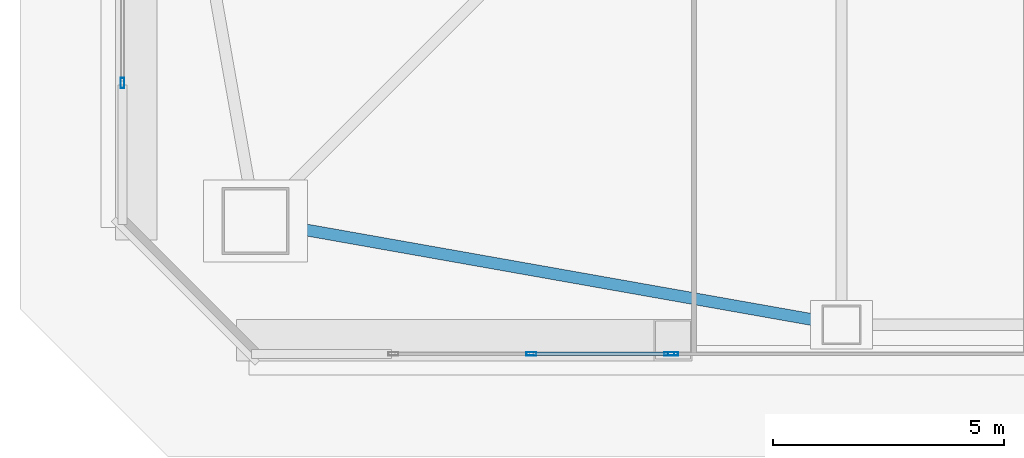
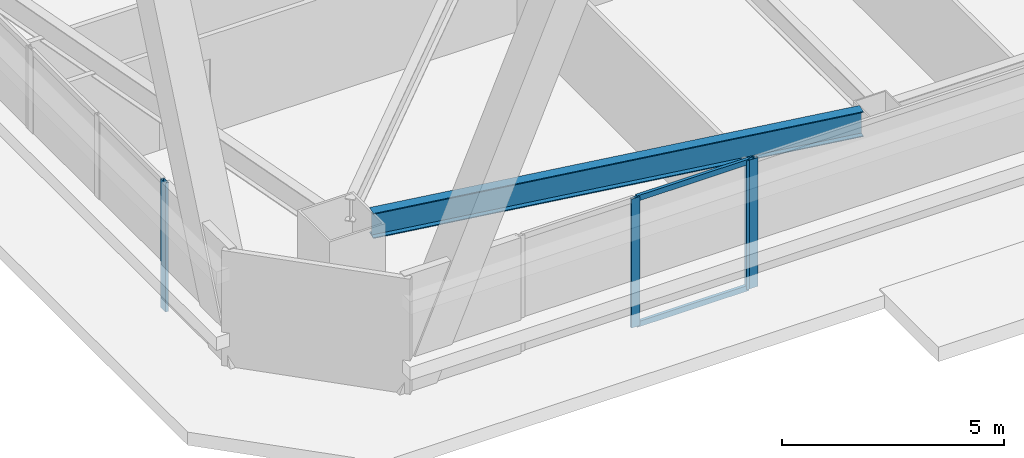
# One storey, part 5 of 67: 6 members, 1 beam, 3 elements without a shape of their own.
"""IFC4 building model written with IfcOpenShell, lengths in metres."""

import ifcopenshell
import ifcopenshell.guid

model = None  # the IFC model being written
_history = None  # IfcOwnerHistory: only IFC2X3 demands one
_inside = {}  # id of a spatial element -> (the spatial element, [elements in it])
_under = {}  # id of a project, library or spatial element -> (it, [spatial elements below it])
_declared = {}  # id of a project -> (the project, [libraries it declares])
_typed = {}  # id of a type object -> (the type object, [elements of that type])
_made_of = {}  # id of a material, layer set ... -> (it, [elements and type objects made of it])


def new_model(schema):
    """Start an empty IFC model of exactly this schema.

    Asked for "IFC4X3", IfcOpenShell would pick the latest addendum, in which some entities
    have other attributes; the version numbers below select the first issue.
    IFC2X3 requires an IfcOwnerHistory on every rooted entity: one is made here for all.
    """
    global model, _history
    if schema == "IFC4X3":
        model = ifcopenshell.file(schema_version=(4, 3, 0, 0))
    else:
        model = ifcopenshell.file(schema=schema)
    _inside.clear()
    _under.clear()
    _declared.clear()
    _typed.clear()
    _made_of.clear()
    _history = None
    if model.schema == "IFC2X3":
        org = make("IfcOrganization", Name="unknown")
        user = make(
            "IfcPersonAndOrganization",
            ThePerson=make("IfcPerson", FamilyName="unknown"),
            TheOrganization=org,
        )
        app = make(
            "IfcApplication",
            ApplicationDeveloper=org,
            Version="unknown",
            ApplicationFullName="unknown",
            ApplicationIdentifier="unknown",
        )
        _history = make(
            "IfcOwnerHistory",
            OwningUser=user,
            OwningApplication=app,
            ChangeAction="ADDED",
            CreationDate=0,
        )
    return model


def make(cls, **values):
    """One entity of the class cls with the attributes given. An attribute that is None is left unset."""
    return model.create_entity(
        cls, **{name: value for name, value in values.items() if value is not None}
    )


def rooted(cls, **values):
    """An entity with a GlobalId (a new one), such as an element, a storey or a relation."""
    return make(cls, GlobalId=ifcopenshell.guid.new(), OwnerHistory=_history, **values)


def si_unit(unit_type, name, prefix=None):
    """IfcSIUnit, for example si_unit("LENGTHUNIT", "METRE", prefix="MILLI")."""
    return make("IfcSIUnit", UnitType=unit_type, Prefix=prefix, Name=name)


def assignment(units):
    """IfcUnitAssignment: the units of a project."""
    return None if units is None else make("IfcUnitAssignment", Units=units)


def point(xyz):
    """IfcCartesianPoint."""
    return None if xyz is None else make("IfcCartesianPoint", Coordinates=xyz)


def direction(xyz):
    """IfcDirection."""
    return None if xyz is None else make("IfcDirection", DirectionRatios=xyz)


def frame(location, z_axis=None, x_axis=None):
    """IfcAxis2Placement3D, a coordinate frame: its origin and axes. An axis left out is left unset."""
    return make(
        "IfcAxis2Placement3D",
        Location=point(location),
        Axis=direction(z_axis),
        RefDirection=direction(x_axis),
    )


def frame_2d(location, x_axis=None):
    """IfcAxis2Placement2D, a coordinate frame in the plane: its origin and x axis."""
    return make(
        "IfcAxis2Placement2D", Location=point(location), RefDirection=direction(x_axis)
    )


def origin():
    """The frame at (0, 0, 0) with its axes left unset."""
    return frame((0.0, 0.0, 0.0))


def origin_2d():
    """The frame at (0, 0) in the plane with its x axis left unset."""
    return frame_2d((0.0, 0.0))


def place(relative_to, where):
    """IfcLocalPlacement: puts the frame where relative to a parent placement (None: the world)."""
    return make(
        "IfcLocalPlacement", PlacementRelTo=relative_to, RelativePlacement=where
    )


def context(
    kind, dimensions, precision=None, world=None, true_north=None, identifier=None
):
    """IfcGeometricRepresentationContext, for example the 3D "Model" context."""
    return make(
        "IfcGeometricRepresentationContext",
        ContextIdentifier=identifier,
        ContextType=kind,
        CoordinateSpaceDimension=dimensions,
        Precision=precision,
        WorldCoordinateSystem=world,
        TrueNorth=true_north,
    )


def subcontext(parent, identifier, kind, view, scale=None):
    """IfcGeometricRepresentationSubContext, for example "Body" below "Model"."""
    return make(
        "IfcGeometricRepresentationSubContext",
        ContextIdentifier=identifier,
        ContextType=kind,
        ParentContext=parent,
        TargetScale=scale,
        TargetView=view,
    )


def project(units=None, contexts=None):
    """IfcProject with its units and contexts."""
    return rooted(
        "IfcProject",
        Name="project",
        RepresentationContexts=contexts,
        UnitsInContext=assignment(units),
    )


def spatial(cls, under=None, at=None, **own):
    """A site, building, storey or space (cls), placed at a placement, below another one or the project."""
    s = rooted(cls, ObjectPlacement=at, **own)
    if under is not None:
        _under.setdefault(under.id(), (under, []))[1].append(s)
    return s


def profile(cls, at=None, kind="AREA", **sizes):
    """A parametric profile (cls). Its sizes go by their IFC names, for example OverallWidth=200.0."""
    return make(cls, ProfileType=kind, Position=at, **sizes)


def hollow_rectangle(**sizes):
    """IfcRectangleHollowProfileDef."""
    return profile("IfcRectangleHollowProfileDef", **sizes)


def i_section(**sizes):
    """IfcIShapeProfileDef."""
    return profile("IfcIShapeProfileDef", **sizes)


def extrude(swept, where, along, depth):
    """IfcExtrudedAreaSolid: the profile swept, set in the frame where, extruded along a direction by depth."""
    return make(
        "IfcExtrudedAreaSolid",
        SweptArea=swept,
        Position=where,
        ExtrudedDirection=direction(along),
        Depth=depth,
    )


def shape(context_of_items, identifier, shape_type, items):
    """IfcShapeRepresentation: the items that make up one representation, for example the "Body"."""
    return make(
        "IfcShapeRepresentation",
        ContextOfItems=context_of_items,
        RepresentationIdentifier=identifier,
        RepresentationType=shape_type,
        Items=items,
    )


def material(Name=None, Category=None):
    """IfcMaterial."""
    return make("IfcMaterial", Name=Name, Category=Category)


def material_profile(
    of_material, cross_section, Name=None, Category=None, Priority=None
):
    """IfcMaterialProfile: a cross section and its material."""
    return make(
        "IfcMaterialProfile",
        Name=Name,
        Material=of_material,
        Profile=cross_section,
        Priority=Priority,
        Category=Category,
    )


def profile_set(profiles, Name=None, composite=None):
    """IfcMaterialProfileSet."""
    return make(
        "IfcMaterialProfileSet",
        Name=Name,
        MaterialProfiles=profiles,
        CompositeProfile=composite,
    )


def made_of(thing, what):
    """Note that an element or type object is made of a material, layer set ...; save() writes the relation."""
    if what is not None:
        _made_of.setdefault(what.id(), (what, []))[1].append(thing)
    return thing


def type_object(cls, material=None, **own):
    """A type object (cls), such as IfcWallType, which elements share."""
    return made_of(rooted(cls, **own), material)


def element(
    cls,
    number,
    at=None,
    inside=None,
    cuts=None,
    type_object=None,
    material=None,
    context=None,
    identifier="Body",
    shape_type=None,
    held_by="IfcProductDefinitionShape",
    body=None,
    shapes=None,
    **own,
):
    """One element of the class cls, such as IfcWall. Its Tag is "e" and its number.

    at: its placement. inside: the storey or other place that contains it. cuts: it is an
    opening in that element (IfcRelVoidsElement). A single representation is given by context,
    identifier, shape_type and body (its items); several are given by shapes. held_by: the class
    of the entity that holds the representations. save() writes the other relations.
    """
    e = rooted(cls, Tag="e%d" % number, ObjectPlacement=at, **own)
    if body is not None:
        shapes = [shape(context, identifier, shape_type, body)]
    if shapes is not None:
        e.Representation = make(held_by, Representations=shapes)
    if inside is not None:
        _inside.setdefault(inside.id(), (inside, []))[1].append(e)
    if cuts is not None:
        rooted(
            "IfcRelVoidsElement", RelatingBuildingElement=cuts, RelatedOpeningElement=e
        )
    if type_object is not None:
        _typed.setdefault(type_object.id(), (type_object, []))[1].append(e)
    return made_of(e, material)


def aggregate(whole, parts):
    """IfcRelAggregates: a whole, such as a stair, and the parts it consists of."""
    return rooted("IfcRelAggregates", RelatingObject=whole, RelatedObjects=parts)


def save(model, path):
    """Write the relations noted so far, then the file.

    IfcRelAggregates (storeys below a building ...), IfcRelContainedInSpatialStructure (elements
    in a storey), IfcRelDefinesByType, IfcRelAssociatesMaterial and IfcRelDeclares: one each for
    every whole, place, type object, material and project.
    """
    for whole, parts in _under.values():
        aggregate(whole, parts)
    for where, things in _inside.values():
        rooted(
            "IfcRelContainedInSpatialStructure",
            RelatedElements=things,
            RelatingStructure=where,
        )
    for kind, things in _typed.values():
        rooted("IfcRelDefinesByType", RelatedObjects=things, RelatingType=kind)
    for what, things in _made_of.values():
        rooted("IfcRelAssociatesMaterial", RelatedObjects=things, RelatingMaterial=what)
    for by, libraries in _declared.values():
        rooted("IfcRelDeclares", RelatingContext=by, RelatedDefinitions=libraries)
    model.write(path)


model = new_model("IFC4")

# Units and contexts
model_context = context("Model", 3, precision=1e-05, world=origin(), true_north=direction((0.0, 1.0)))
body_context = subcontext(model_context, "Body", "Model", "MODEL_VIEW")
ifc_project = project(units=[si_unit("LENGTHUNIT", "METRE"), si_unit("AREAUNIT", "SQUARE_METRE"), si_unit("VOLUMEUNIT", "CUBIC_METRE"), si_unit("PLANEANGLEUNIT", "RADIAN"), si_unit("MASSUNIT", "GRAM", prefix="KILO")], contexts=[model_context])

# Site, building, storey
site_placement = place(None, origin())
site = spatial("IfcSite", under=ifc_project, at=site_placement, CompositionType="ELEMENT")
building_placement = place(site_placement, origin())
building = spatial("IfcBuilding", under=site, at=building_placement, Name="Tashvorn Skyway Center", CompositionType="ELEMENT")
storey_placement = place(building_placement, frame((0.0, 0.0, 67.199951171875)))
storey = spatial("IfcBuildingStorey", under=building, at=storey_placement, Name="L17", CompositionType="ELEMENT", Elevation=67.199951171875)

# Beam
ifc_material_1 = material(Name="Steel ASTM A992 Grade 50", Category="steel")
ifc_material_profile_1 = material_profile(ifc_material_1, i_section(OverallWidth=0.256103515625, OverallDepth=0.693115234375, WebThickness=0.014404296875, FlangeThickness=0.023681640625, at=origin_2d()), Name="W27X114")
ifc_profile_set_1 = profile_set([ifc_material_profile_1], Name="Steel ASTM A992 Grade 50")
beam_type = type_object("IfcBeamType", Name="BM-SPANDREL-W27X114", PredefinedType="SPANDREL", material=ifc_profile_set_1)
beam_placement = place(storey_placement, frame((24.60888671875, 13.7744140625, 3.003662109375), z_axis=(0.98466816531, -0.174437966698, 0.0), x_axis=(0.174437966698, 0.98466816531, 0.0)))
element("IfcBeam", 1, at=beam_placement, inside=storey, type_object=beam_type, Name="Tower 1 L17 Spandrel Beam 01", PredefinedType="SPANDREL", context=body_context, shape_type="SweptSolid", body=[
    extrude(i_section(OverallWidth=0.256103515625, OverallDepth=0.693115234375, WebThickness=0.014404296875, FlangeThickness=0.023681640625, at=origin_2d()), origin(), (0.0, 0.0, 1.0), 11.7578125),
])

# Curtain wall, member
ifc_material_2 = material(Name="Thermally broken bronze-anodized aluminium 6063-T6", Category="aluminium")
curtain_wall_type = type_object("IfcCurtainWallType", Name="CW-CW-Z2", PredefinedType="NOTDEFINED", material=ifc_material_2)
curtain_wall_1_placement = place(storey_placement, origin())
curtain_wall_1 = element("IfcCurtainWall", 2, at=curtain_wall_1_placement, inside=storey, type_object=curtain_wall_type, Name="Tower 1 L17 South Unitised Curtain Wall Glazing Group 2", PredefinedType="NOTDEFINED")
ifc_material_profile_2 = material_profile(ifc_material_2, hollow_rectangle(XDim=0.080078125, YDim=0.219970703125, WallThickness=0.0048828125, at=origin_2d()), Name="ALU-MULL-80x220")
ifc_profile_set_2 = profile_set([ifc_material_profile_2], Name="Thermally broken bronze-anodized aluminium 6063-T6")
member_type_1 = type_object("IfcMemberType", Name="CWM-CW-Z2", PredefinedType="MULLION", material=ifc_profile_set_2)
member_1_placement = place(storey_placement, frame((32.949951171875, 11.02001953125, 0.0), z_axis=(0.0, 0.0, 1.0), x_axis=(0.0, -1.0, 0.0)))
member_1 = element("IfcMember", 3, at=member_1_placement, type_object=member_type_1, Name="CW-Z2 mullion 3", PredefinedType="MULLION", context=body_context, shape_type="SweptSolid", body=[
    extrude(hollow_rectangle(XDim=0.080078125, YDim=0.219970703125, WallThickness=0.0048828125, at=origin_2d()), origin(), (0.0, 0.0, 1.0), 3.550048828125),
])
aggregate(curtain_wall_1, [member_1])

# Curtain wall, members
curtain_wall_2_placement = place(storey_placement, origin())
curtain_wall_2 = element("IfcCurtainWall", 4, at=curtain_wall_2_placement, inside=storey, type_object=curtain_wall_type, Name="Tower 1 L17 South Unitised Curtain Wall Glazing Group 3", PredefinedType="NOTDEFINED")
member_2_placement = place(storey_placement, frame((32.8701171875, 11.02001953125, 0.0), z_axis=(0.0, 0.0, 1.0), x_axis=(0.0, -1.0, 0.0)))
member_2 = element("IfcMember", 5, at=member_2_placement, type_object=member_type_1, Name="CW-Z2 mullion 1", PredefinedType="MULLION", context=body_context, shape_type="SweptSolid", body=[
    extrude(hollow_rectangle(XDim=0.080078125, YDim=0.219970703125, WallThickness=0.0048828125, at=origin_2d()), origin(), (0.0, 0.0, 1.0), 3.550048828125),
])
member_3_placement = place(storey_placement, frame((29.8798828125, 11.02001953125, 0.0), z_axis=(0.0, 0.0, 1.0), x_axis=(0.0, -1.0, 0.0)))
member_3 = element("IfcMember", 6, at=member_3_placement, type_object=member_type_1, Name="CW-Z2 mullion 2", PredefinedType="MULLION", context=body_context, shape_type="SweptSolid", body=[
    extrude(hollow_rectangle(XDim=0.080078125, YDim=0.219970703125, WallThickness=0.0048828125, at=origin_2d()), origin(), (0.0, 0.0, 1.0), 3.550048828125),
])

# Curtain wall, member
curtain_wall_3_placement = place(storey_placement, origin())
curtain_wall_3 = element("IfcCurtainWall", 7, at=curtain_wall_3_placement, inside=storey, type_object=curtain_wall_type, Name="Tower 1 L17 West Unitised Curtain Wall Glazing Group 1", PredefinedType="NOTDEFINED")
member_4_placement = place(storey_placement, frame((21.02001953125, 16.889892578125, 0.0), z_axis=(0.0, 0.0, 1.0), x_axis=(-1.0, 0.0, 0.0)))
member_4 = element("IfcMember", 8, at=member_4_placement, type_object=member_type_1, Name="CW-Z2 mullion 1", PredefinedType="MULLION", context=body_context, shape_type="SweptSolid", body=[
    extrude(hollow_rectangle(XDim=0.080078125, YDim=0.219970703125, WallThickness=0.0048828125, at=origin_2d()), origin(), (0.0, 0.0, 1.0), 3.550048828125),
])
aggregate(curtain_wall_3, [member_4])

# Member
ifc_material_profile_3 = material_profile(ifc_material_2, hollow_rectangle(XDim=0.080078125, YDim=0.14990234375, WallThickness=0.00439453125, at=origin_2d()), Name="ALU-TRAN-80x150")
ifc_profile_set_3 = profile_set([ifc_material_profile_3], Name="Thermally broken bronze-anodized aluminium 6063-T6")
member_type_2 = type_object("IfcMemberType", Name="CWT-CW-Z2", PredefinedType="USERDEFINED", material=ifc_profile_set_3)
member_5_placement = place(storey_placement, frame((32.830078125, 11.02001953125, 0.0400390625), z_axis=(-1.0, 0.0, 0.0), x_axis=(0.0, -1.0, 0.0)))
member_5 = element("IfcMember", 9, at=member_5_placement, type_object=member_type_2, Name="CW-Z2 transom 1.1", ObjectType="TRANSOM", PredefinedType="USERDEFINED", context=body_context, shape_type="SweptSolid", body=[
    extrude(hollow_rectangle(XDim=0.080078125, YDim=0.14990234375, WallThickness=0.00439453125, at=origin_2d()), origin(), (0.0, 0.0, 1.0), 2.91015625),
])

member_6_placement = place(storey_placement, frame((32.830078125, 11.02001953125, 3.510009765625), z_axis=(-1.0, 0.0, 0.0), x_axis=(0.0, -1.0, 0.0)))
member_6 = element("IfcMember", 10, at=member_6_placement, type_object=member_type_2, Name="CW-Z2 transom 1.2", ObjectType="TRANSOM", PredefinedType="USERDEFINED", context=body_context, shape_type="SweptSolid", body=[
    extrude(hollow_rectangle(XDim=0.080078125, YDim=0.14990234375, WallThickness=0.00439453125, at=origin_2d()), origin(), (0.0, 0.0, 1.0), 2.91015625),
])

aggregate(curtain_wall_2, [member_2, member_3, member_5, member_6])

save(model, "model.ifc")
